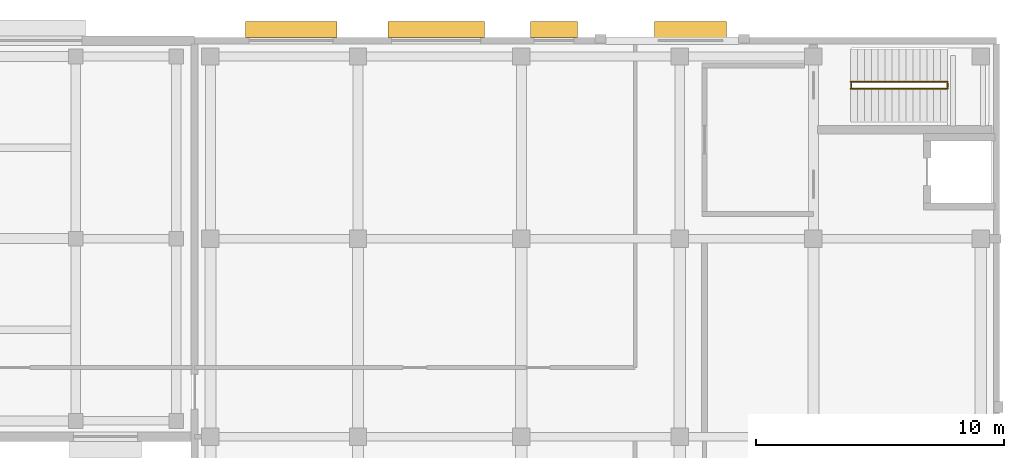
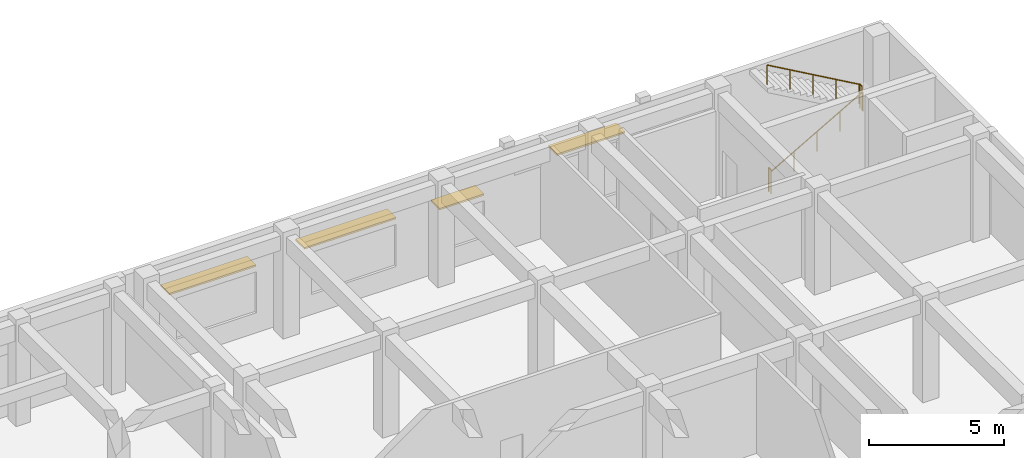
# One storey, part 64 of 64: 4 railings, 4 shading devices.
"""IFC4 building model written with IfcOpenShell, lengths in metres."""

import ifcopenshell
import ifcopenshell.guid

model = None  # the IFC model being written
_history = None  # IfcOwnerHistory: only IFC2X3 demands one
_inside = {}  # id of a spatial element -> (the spatial element, [elements in it])
_under = {}  # id of a project, library or spatial element -> (it, [spatial elements below it])
_declared = {}  # id of a project -> (the project, [libraries it declares])
_typed = {}  # id of a type object -> (the type object, [elements of that type])
_made_of = {}  # id of a material, layer set ... -> (it, [elements and type objects made of it])


def new_model(schema):
    """Start an empty IFC model of exactly this schema.

    Asked for "IFC4X3", IfcOpenShell would pick the latest addendum, in which some entities
    have other attributes; the version numbers below select the first issue.
    IFC2X3 requires an IfcOwnerHistory on every rooted entity: one is made here for all.
    """
    global model, _history
    if schema == "IFC4X3":
        model = ifcopenshell.file(schema_version=(4, 3, 0, 0))
    else:
        model = ifcopenshell.file(schema=schema)
    _inside.clear()
    _under.clear()
    _declared.clear()
    _typed.clear()
    _made_of.clear()
    _history = None
    if model.schema == "IFC2X3":
        org = make("IfcOrganization", Name="unknown")
        user = make(
            "IfcPersonAndOrganization",
            ThePerson=make("IfcPerson", FamilyName="unknown"),
            TheOrganization=org,
        )
        app = make(
            "IfcApplication",
            ApplicationDeveloper=org,
            Version="unknown",
            ApplicationFullName="unknown",
            ApplicationIdentifier="unknown",
        )
        _history = make(
            "IfcOwnerHistory",
            OwningUser=user,
            OwningApplication=app,
            ChangeAction="ADDED",
            CreationDate=0,
        )
    return model


def make(cls, **values):
    """One entity of the class cls with the attributes given. An attribute that is None is left unset."""
    return model.create_entity(
        cls, **{name: value for name, value in values.items() if value is not None}
    )


def rooted(cls, **values):
    """An entity with a GlobalId (a new one), such as an element, a storey or a relation."""
    return make(cls, GlobalId=ifcopenshell.guid.new(), OwnerHistory=_history, **values)


def si_unit(unit_type, name, prefix=None):
    """IfcSIUnit, for example si_unit("LENGTHUNIT", "METRE", prefix="MILLI")."""
    return make("IfcSIUnit", UnitType=unit_type, Prefix=prefix, Name=name)


def assignment(units):
    """IfcUnitAssignment: the units of a project."""
    return None if units is None else make("IfcUnitAssignment", Units=units)


def point(xyz):
    """IfcCartesianPoint."""
    return None if xyz is None else make("IfcCartesianPoint", Coordinates=xyz)


def direction(xyz):
    """IfcDirection."""
    return None if xyz is None else make("IfcDirection", DirectionRatios=xyz)


def frame(location, z_axis=None, x_axis=None):
    """IfcAxis2Placement3D, a coordinate frame: its origin and axes. An axis left out is left unset."""
    return make(
        "IfcAxis2Placement3D",
        Location=point(location),
        Axis=direction(z_axis),
        RefDirection=direction(x_axis),
    )


def frame_2d(location, x_axis=None):
    """IfcAxis2Placement2D, a coordinate frame in the plane: its origin and x axis."""
    return make(
        "IfcAxis2Placement2D", Location=point(location), RefDirection=direction(x_axis)
    )


def origin():
    """The frame at (0, 0, 0) with its axes left unset."""
    return frame((0.0, 0.0, 0.0))


def origin_2d():
    """The frame at (0, 0) in the plane with its x axis left unset."""
    return frame_2d((0.0, 0.0))


def place(relative_to, where):
    """IfcLocalPlacement: puts the frame where relative to a parent placement (None: the world)."""
    return make(
        "IfcLocalPlacement", PlacementRelTo=relative_to, RelativePlacement=where
    )


def context(
    kind, dimensions, precision=None, world=None, true_north=None, identifier=None
):
    """IfcGeometricRepresentationContext, for example the 3D "Model" context."""
    return make(
        "IfcGeometricRepresentationContext",
        ContextIdentifier=identifier,
        ContextType=kind,
        CoordinateSpaceDimension=dimensions,
        Precision=precision,
        WorldCoordinateSystem=world,
        TrueNorth=true_north,
    )


def subcontext(parent, identifier, kind, view, scale=None):
    """IfcGeometricRepresentationSubContext, for example "Body" below "Model"."""
    return make(
        "IfcGeometricRepresentationSubContext",
        ContextIdentifier=identifier,
        ContextType=kind,
        ParentContext=parent,
        TargetScale=scale,
        TargetView=view,
    )


def project(units=None, contexts=None):
    """IfcProject with its units and contexts."""
    return rooted(
        "IfcProject",
        Name="project",
        RepresentationContexts=contexts,
        UnitsInContext=assignment(units),
    )


def spatial(cls, under=None, at=None, **own):
    """A site, building, storey or space (cls), placed at a placement, below another one or the project."""
    s = rooted(cls, ObjectPlacement=at, **own)
    if under is not None:
        _under.setdefault(under.id(), (under, []))[1].append(s)
    return s


def profile(cls, at=None, kind="AREA", **sizes):
    """A parametric profile (cls). Its sizes go by their IFC names, for example OverallWidth=200.0."""
    return make(cls, ProfileType=kind, Position=at, **sizes)


def rectangle(**sizes):
    """IfcRectangleProfileDef."""
    return profile("IfcRectangleProfileDef", **sizes)


def circle(**sizes):
    """IfcCircleProfileDef."""
    return profile("IfcCircleProfileDef", **sizes)


def extrude(swept, where, along, depth):
    """IfcExtrudedAreaSolid: the profile swept, set in the frame where, extruded along a direction by depth."""
    return make(
        "IfcExtrudedAreaSolid",
        SweptArea=swept,
        Position=where,
        ExtrudedDirection=direction(along),
        Depth=depth,
    )


def shape(context_of_items, identifier, shape_type, items):
    """IfcShapeRepresentation: the items that make up one representation, for example the "Body"."""
    return make(
        "IfcShapeRepresentation",
        ContextOfItems=context_of_items,
        RepresentationIdentifier=identifier,
        RepresentationType=shape_type,
        Items=items,
    )


def material(Name=None, Category=None):
    """IfcMaterial."""
    return make("IfcMaterial", Name=Name, Category=Category)


def made_of(thing, what):
    """Note that an element or type object is made of a material, layer set ...; save() writes the relation."""
    if what is not None:
        _made_of.setdefault(what.id(), (what, []))[1].append(thing)
    return thing


def type_object(cls, material=None, **own):
    """A type object (cls), such as IfcWallType, which elements share."""
    return made_of(rooted(cls, **own), material)


def element(
    cls,
    number,
    at=None,
    inside=None,
    cuts=None,
    type_object=None,
    material=None,
    context=None,
    identifier="Body",
    shape_type=None,
    held_by="IfcProductDefinitionShape",
    body=None,
    shapes=None,
    **own,
):
    """One element of the class cls, such as IfcWall. Its Tag is "e" and its number.

    at: its placement. inside: the storey or other place that contains it. cuts: it is an
    opening in that element (IfcRelVoidsElement). A single representation is given by context,
    identifier, shape_type and body (its items); several are given by shapes. held_by: the class
    of the entity that holds the representations. save() writes the other relations.
    """
    e = rooted(cls, Tag="e%d" % number, ObjectPlacement=at, **own)
    if body is not None:
        shapes = [shape(context, identifier, shape_type, body)]
    if shapes is not None:
        e.Representation = make(held_by, Representations=shapes)
    if inside is not None:
        _inside.setdefault(inside.id(), (inside, []))[1].append(e)
    if cuts is not None:
        rooted(
            "IfcRelVoidsElement", RelatingBuildingElement=cuts, RelatedOpeningElement=e
        )
    if type_object is not None:
        _typed.setdefault(type_object.id(), (type_object, []))[1].append(e)
    return made_of(e, material)


def aggregate(whole, parts):
    """IfcRelAggregates: a whole, such as a stair, and the parts it consists of."""
    return rooted("IfcRelAggregates", RelatingObject=whole, RelatedObjects=parts)


def save(model, path):
    """Write the relations noted so far, then the file.

    IfcRelAggregates (storeys below a building ...), IfcRelContainedInSpatialStructure (elements
    in a storey), IfcRelDefinesByType, IfcRelAssociatesMaterial and IfcRelDeclares: one each for
    every whole, place, type object, material and project.
    """
    for whole, parts in _under.values():
        aggregate(whole, parts)
    for where, things in _inside.values():
        rooted(
            "IfcRelContainedInSpatialStructure",
            RelatedElements=things,
            RelatingStructure=where,
        )
    for kind, things in _typed.values():
        rooted("IfcRelDefinesByType", RelatedObjects=things, RelatingType=kind)
    for what, things in _made_of.values():
        rooted("IfcRelAssociatesMaterial", RelatedObjects=things, RelatingMaterial=what)
    for by, libraries in _declared.values():
        rooted("IfcRelDeclares", RelatingContext=by, RelatedDefinitions=libraries)
    model.write(path)


model = new_model("IFC4")

# Units and contexts
model_context = context("Model", 3, precision=1e-05, world=origin(), true_north=direction((0.0, 1.0)))
body_context = subcontext(model_context, "Body", "Model", "MODEL_VIEW")
ifc_project = project(units=[si_unit("LENGTHUNIT", "METRE"), si_unit("AREAUNIT", "SQUARE_METRE"), si_unit("VOLUMEUNIT", "CUBIC_METRE"), si_unit("PLANEANGLEUNIT", "RADIAN"), si_unit("MASSUNIT", "GRAM", prefix="KILO")], contexts=[model_context])

# Site, building, storey
site_placement = place(None, origin())
site = spatial("IfcSite", under=ifc_project, at=site_placement, CompositionType="ELEMENT")
building_placement = place(site_placement, origin())
building = spatial("IfcBuilding", under=site, at=building_placement, Name="Cinchona Park Media Centre", CompositionType="ELEMENT")
storey_placement = place(building_placement, frame((0.0, 0.0, 5.39990234375)))
storey = spatial("IfcBuildingStorey", under=building, at=storey_placement, Name="L01", CompositionType="ELEMENT", Elevation=5.39990234375)

# Railings
ifc_material_1 = material(Name="Painted Steel Stairwell Guardrail", Category="steel")
railing_type_1 = type_object("IfcRailingType", Name="RAILING-GR02", PredefinedType="GUARDRAIL", material=ifc_material_1)
for number, where, name in (
    (1, (166.135009765625, 116.1201171875, 0.0), "Stairwell Guardrail GR02 ST2 L01"),
    (2, (170.02001953125, 116.1201171875, 2.400146484375), "Half-Landing Guardrail GR02 ST2 L01"),
):
    element("IfcRailing", number, at=place(storey_placement, frame(where)), inside=storey, type_object=railing_type_1, Name=name, PredefinedType="GUARDRAIL", context=body_context, shape_type="SweptSolid", body=[
        extrude(circle(Radius=0.02392578125, at=origin_2d()), frame((0.0, 0.0, 1.076171875), z_axis=(0.0, 1.0, 0.0), x_axis=(-1.0, 0.0, 0.0)), (0.0, 0.0, 1.0), 0.159912109375),
        extrude(circle(Radius=0.02099609375, at=origin_2d()), origin(), (0.0, 0.0, 1.0), 1.052001953125),
        extrude(circle(Radius=0.02099609375, at=origin_2d()), frame((0.0, 0.159912109375, 0.0)), (0.0, 0.0, 1.0), 1.052001953125),
    ])
ifc_material_2 = material(Name="Brushed Stainless Steel Handrail", Category="steel")
railing_type_2 = type_object("IfcRailingType", Name="RAILING-HR01", PredefinedType="HANDRAIL", material=ifc_material_2)
railing_1_placement = place(storey_placement, frame((166.10009765625, 116.06005859375, 0.16015625)))
element("IfcRailing", 3, at=railing_1_placement, inside=storey, type_object=railing_type_2, Name="Stair Handrail HR01 ST2 L01 F1", PredefinedType="HANDRAIL", context=body_context, shape_type="SweptSolid", body=[
    extrude(circle(Radius=0.02392578125, at=origin_2d()), frame((0.0, 0.0, 0.8759765625), z_axis=(0.868239814368, 0.0, 0.496144761885), x_axis=(0.0, 1.0, 0.0)), (0.0, 0.0, 1.0), 4.514892578125),
    extrude(circle(Radius=0.02099609375, at=origin_2d()), origin(), (0.0, 0.0, 1.0), 0.851806640625),
    extrude(circle(Radius=0.02099609375, at=origin_2d()), frame((0.97998046875, 0.0, 0.56005859375)), (0.0, 0.0, 1.0), 0.851806640625),
    extrude(circle(Radius=0.02099609375, at=origin_2d()), frame((1.9599609375, 0.0, 1.1201171875)), (0.0, 0.0, 1.0), 0.851806640625),
    extrude(circle(Radius=0.02099609375, at=origin_2d()), frame((2.93994140625, 0.0, 1.679931640625)), (0.0, 0.0, 1.0), 0.851806640625),
    extrude(circle(Radius=0.02099609375, at=origin_2d()), frame((3.919921875, 0.0, 2.239990234375)), (0.0, 0.0, 1.0), 0.851806640625),
])
railing_2_placement = place(storey_placement, frame((170.02001953125, 116.340087890625, 2.56005859375)))
element("IfcRailing", 4, at=railing_2_placement, inside=storey, type_object=railing_type_2, Name="Stair Handrail HR01 ST2 L01 F2", PredefinedType="HANDRAIL", context=body_context, shape_type="SweptSolid", body=[
    extrude(circle(Radius=0.02392578125, at=origin_2d()), frame((0.0, 0.0, 0.8759765625), z_axis=(-0.868239814368, 0.0, 0.496144761885), x_axis=(0.0, -1.0, 0.0)), (0.0, 0.0, 1.0), 4.514892578125),
    extrude(circle(Radius=0.02099609375, at=origin_2d()), origin(), (0.0, 0.0, 1.0), 0.851806640625),
    extrude(circle(Radius=0.02099609375, at=origin_2d()), frame((-0.97998046875, 0.0, 0.56005859375)), (0.0, 0.0, 1.0), 0.851806640625),
    extrude(circle(Radius=0.02099609375, at=origin_2d()), frame((-1.9599609375, 0.0, 1.1201171875)), (0.0, 0.0, 1.0), 0.851806640625),
    extrude(circle(Radius=0.02099609375, at=origin_2d()), frame((-2.93994140625, 0.0, 1.679931640625)), (0.0, 0.0, 1.0), 0.851806640625),
    extrude(circle(Radius=0.02099609375, at=origin_2d()), frame((-3.919921875, 0.0, 2.239990234375)), (0.0, 0.0, 1.0), 0.851806640625),
])

# Shading devices
ifc_material_3 = material(Name="Anodised Aluminium Horizontal Brise-Soleil", Category="aluminium")
shading_device_type = type_object("IfcShadingDeviceType", Name="SHADING-SUN01", PredefinedType="AWNING", material=ifc_material_3)
shading_device_1_placement = place(storey_placement, frame((143.5, 118.45703125, 2.77001953125), z_axis=(0.0, 0.0, 1.0), x_axis=(1.0, 0.0, 0.0)))
element("IfcShadingDevice", 5, at=shading_device_1_placement, inside=storey, type_object=shading_device_type, Name="Horizontal Sunshade SHD02 L01", PredefinedType="AWNING", context=body_context, shape_type="SweptSolid", body=[
    extrude(rectangle(XDim=3.699951171875, YDim=0.64990234375, at=origin_2d()), origin(), (0.0, 0.0, 1.0), 0.080078125),
])
shading_device_2_placement = place(storey_placement, frame((149.360107421875, 118.45703125, 2.820068359375), z_axis=(0.0, 0.0, 1.0), x_axis=(1.0, 0.0, 0.0)))
element("IfcShadingDevice", 6, at=shading_device_2_placement, inside=storey, type_object=shading_device_type, Name="Horizontal Sunshade SHD02 L01", PredefinedType="AWNING", context=body_context, shape_type="SweptSolid", body=[
    extrude(rectangle(XDim=3.89990234375, YDim=0.64990234375, at=origin_2d()), origin(), (0.0, 0.0, 1.0), 0.080078125),
])
shading_device_3_placement = place(storey_placement, frame((154.1201171875, 118.45703125, 2.570068359375), z_axis=(0.0, 0.0, 1.0), x_axis=(1.0, 0.0, 0.0)))
element("IfcShadingDevice", 7, at=shading_device_3_placement, inside=storey, type_object=shading_device_type, Name="Horizontal Sunshade SHD02 L01", PredefinedType="AWNING", context=body_context, shape_type="SweptSolid", body=[
    extrude(rectangle(XDim=1.89990234375, YDim=0.64990234375, at=origin_2d()), origin(), (0.0, 0.0, 1.0), 0.080078125),
])
shading_device_4_placement = place(storey_placement, frame((159.6298828125, 118.45703125, 3.27001953125), z_axis=(0.0, 0.0, 1.0), x_axis=(1.0, 0.0, 0.0)))
element("IfcShadingDevice", 8, at=shading_device_4_placement, inside=storey, type_object=shading_device_type, Name="Horizontal Sunshade SHD02 L01", PredefinedType="AWNING", context=body_context, shape_type="SweptSolid", body=[
    extrude(rectangle(XDim=2.89990234375, YDim=0.64990234375, at=origin_2d()), origin(), (0.0, 0.0, 1.0), 0.080078125),
])

save(model, "model.ifc")
